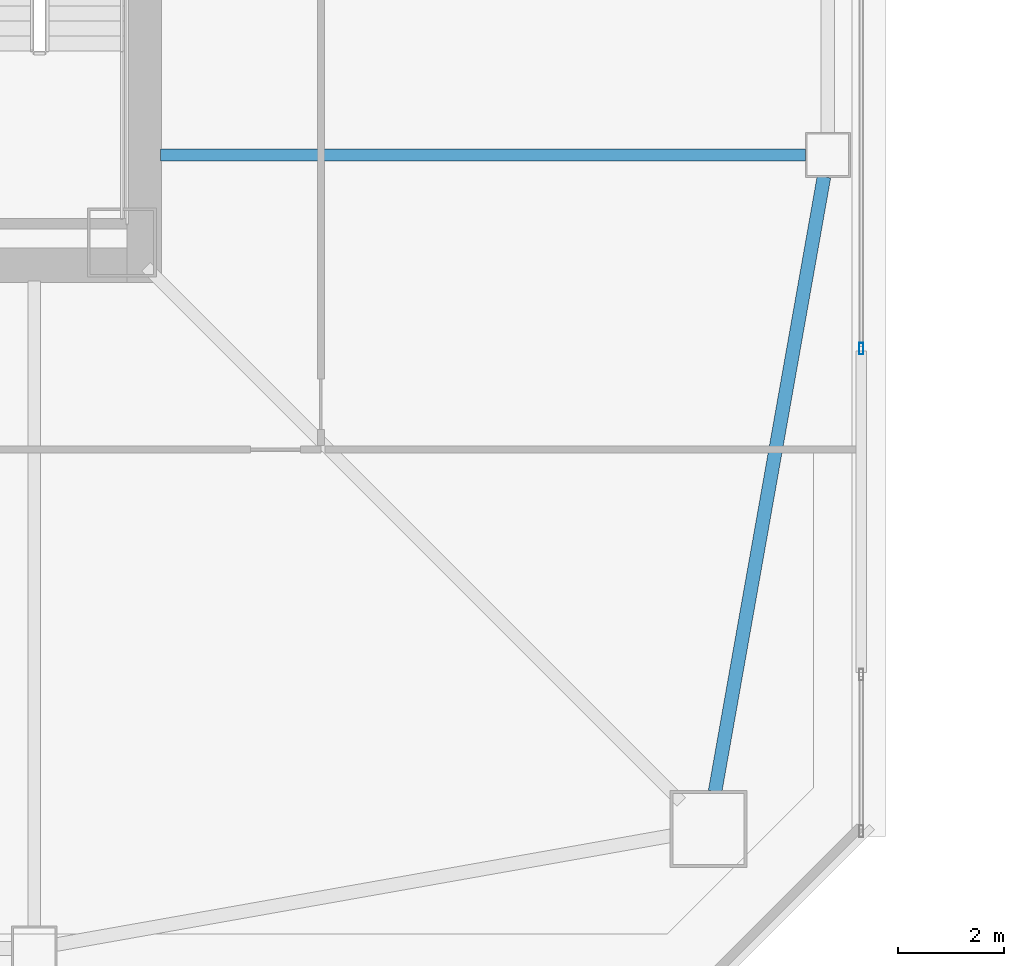
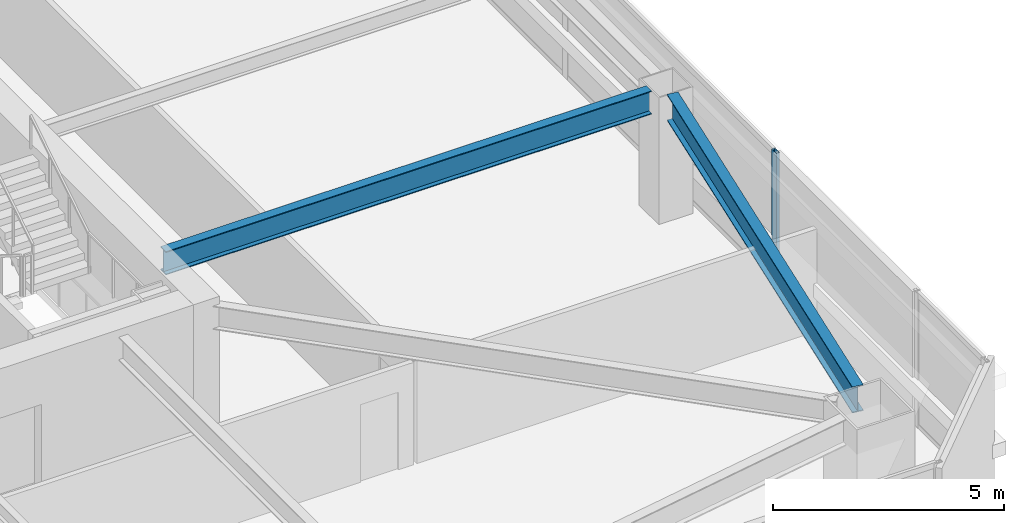
# One storey, part 9 of 48: 2 beams, 1 member, 1 element without a shape of its own.
"""IFC4 building model written with IfcOpenShell, lengths in metres."""

from ifc_helpers import new_model, si_unit, direction, frame, origin, origin_2d, place, context, subcontext, project, spatial, hollow_rectangle, i_section, extrude, material, material_profile, profile_set, type_object, element, aggregate, save


model = new_model("IFC4")

# Units and contexts
model_context = context("Model", 3, precision=1e-05, world=origin(), true_north=direction((0.0, 1.0)))
body_context = subcontext(model_context, "Body", "Model", "MODEL_VIEW")
ifc_project = project(units=[si_unit("LENGTHUNIT", "METRE"), si_unit("AREAUNIT", "SQUARE_METRE"), si_unit("VOLUMEUNIT", "CUBIC_METRE"), si_unit("PLANEANGLEUNIT", "RADIAN"), si_unit("MASSUNIT", "GRAM", prefix="KILO")], contexts=[model_context])

# Site, building, storey
site_placement = place(None, origin())
site = spatial("IfcSite", under=ifc_project, at=site_placement, CompositionType="ELEMENT")
building_placement = place(site_placement, origin())
building = spatial("IfcBuilding", under=site, at=building_placement, Name="Tashvorn Skyway Center", CompositionType="ELEMENT")
storey_placement = place(building_placement, frame((0.0, 0.0, 77.85009765625)))
storey = spatial("IfcBuildingStorey", under=building, at=storey_placement, Name="L20", CompositionType="ELEMENT", Elevation=77.85009765625)

# Beams
ifc_material_1 = material(Name="Steel ASTM A992 Grade 50", Category="steel")
ifc_material_profile_1 = material_profile(ifc_material_1, i_section(OverallWidth=0.22998046875, OverallDepth=0.616943359375, WebThickness=0.01318359375, FlangeThickness=0.022216796875, at=origin_2d()), Name="W24X94")
ifc_profile_set_1 = profile_set([ifc_material_profile_1], Name="Steel ASTM A992 Grade 50")
beam_type_1 = type_object("IfcBeamType", Name="BM-BEAM-W24X94", PredefinedType="BEAM", material=ifc_profile_set_1)
beam_1_placement = place(storey_placement, frame((61.929931640625, 26.60009765625, 3.04150390625), z_axis=(-1.0, 0.0, 0.0), x_axis=(0.0, -1.0, 0.0)))
element("IfcBeam", 1, at=beam_1_placement, inside=storey, type_object=beam_type_1, Name="Tower 1 L20 Primary Floor Girder FC-E1", PredefinedType="BEAM", context=body_context, shape_type="SweptSolid", body=[
    extrude(i_section(OverallWidth=0.22998046875, OverallDepth=0.616943359375, WebThickness=0.01318359375, FlangeThickness=0.022216796875, at=origin_2d()), origin(), (0.0, 0.0, 1.0), 12.14990234375),
])
ifc_material_profile_2 = material_profile(ifc_material_1, i_section(OverallWidth=0.256103515625, OverallDepth=0.693115234375, WebThickness=0.014404296875, FlangeThickness=0.023681640625, at=origin_2d()), Name="W27X114")
ifc_profile_set_2 = profile_set([ifc_material_profile_2], Name="Steel ASTM A992 Grade 50")
beam_type_2 = type_object("IfcBeamType", Name="BM-SPANDREL-W27X114", PredefinedType="SPANDREL", material=ifc_profile_set_2)
beam_2_placement = place(storey_placement, frame((60.2255859375, 14.60888671875, 3.00341796875), z_axis=(0.174437966698, 0.98466816531, 0.0), x_axis=(-0.98466816531, 0.174437966698, 0.0)))
element("IfcBeam", 2, at=beam_2_placement, inside=storey, type_object=beam_type_2, Name="Tower 1 L20 Spandrel Beam 04", PredefinedType="SPANDREL", context=body_context, shape_type="SweptSolid", body=[
    extrude(i_section(OverallWidth=0.256103515625, OverallDepth=0.693115234375, WebThickness=0.014404296875, FlangeThickness=0.023681640625, at=origin_2d()), origin(), (0.0, 0.0, 1.0), 11.7578125),
])

# Curtain wall, member
ifc_material_2 = material(Name="Thermally broken bronze-anodized aluminium 6063-T6", Category="aluminium")
curtain_wall_type = type_object("IfcCurtainWallType", Name="CW-CW-Z2", PredefinedType="NOTDEFINED", material=ifc_material_2)
curtain_wall_placement = place(storey_placement, origin())
curtain_wall = element("IfcCurtainWall", 3, at=curtain_wall_placement, inside=storey, type_object=curtain_wall_type, Name="Tower 1 L20 East Unitised Curtain Wall Glazing Group 2", PredefinedType="NOTDEFINED")
ifc_material_profile_3 = material_profile(ifc_material_2, hollow_rectangle(XDim=0.080078125, YDim=0.219970703125, WallThickness=0.0048828125, at=origin_2d()), Name="ALU-MULL-80x220")
ifc_profile_set_3 = profile_set([ifc_material_profile_3], Name="Thermally broken bronze-anodized aluminium 6063-T6")
member_type = type_object("IfcMemberType", Name="CWM-CW-Z2", PredefinedType="MULLION", material=ifc_profile_set_3)
member_placement = place(storey_placement, frame((62.97998046875, 22.949951171875, 0.0), z_axis=(0.0, 0.0, 1.0), x_axis=(1.0, 0.0, 0.0)))
member = element("IfcMember", 4, at=member_placement, type_object=member_type, Name="CW-Z2 mullion 3", PredefinedType="MULLION", context=body_context, shape_type="SweptSolid", body=[
    extrude(hollow_rectangle(XDim=0.080078125, YDim=0.219970703125, WallThickness=0.0048828125, at=origin_2d()), origin(), (0.0, 0.0, 1.0), 3.5498046875),
])
aggregate(curtain_wall, [member])

save(model, "model.ifc")
